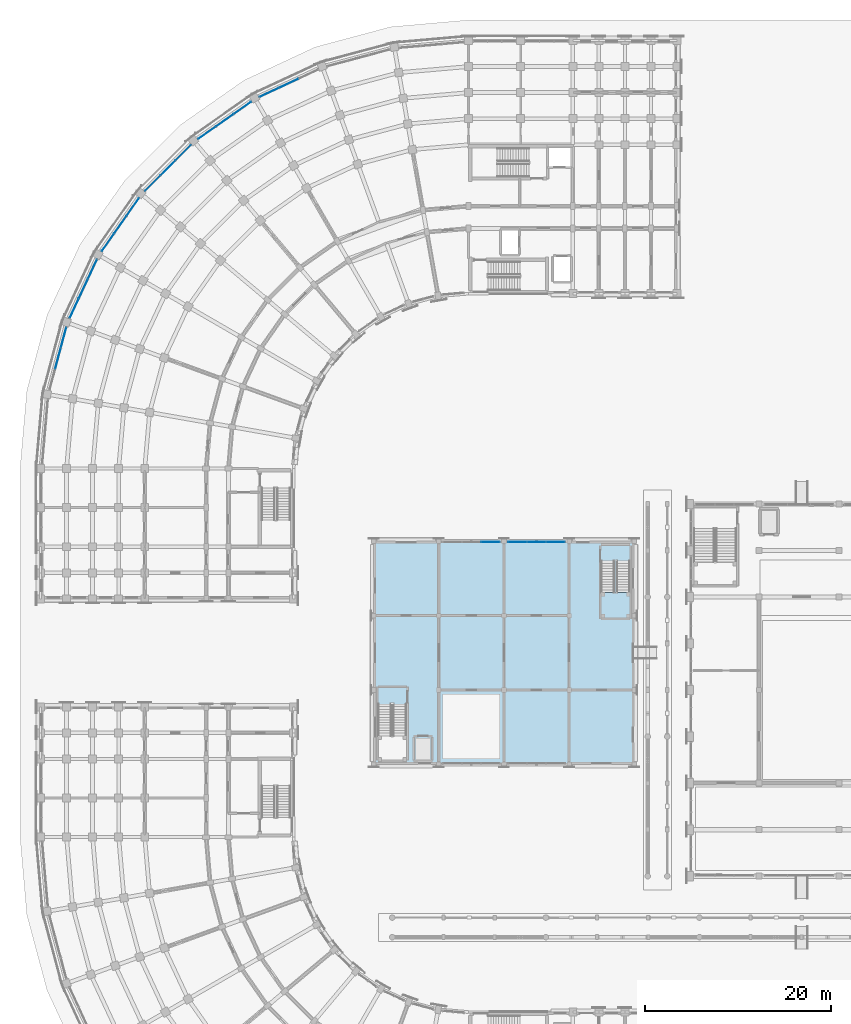
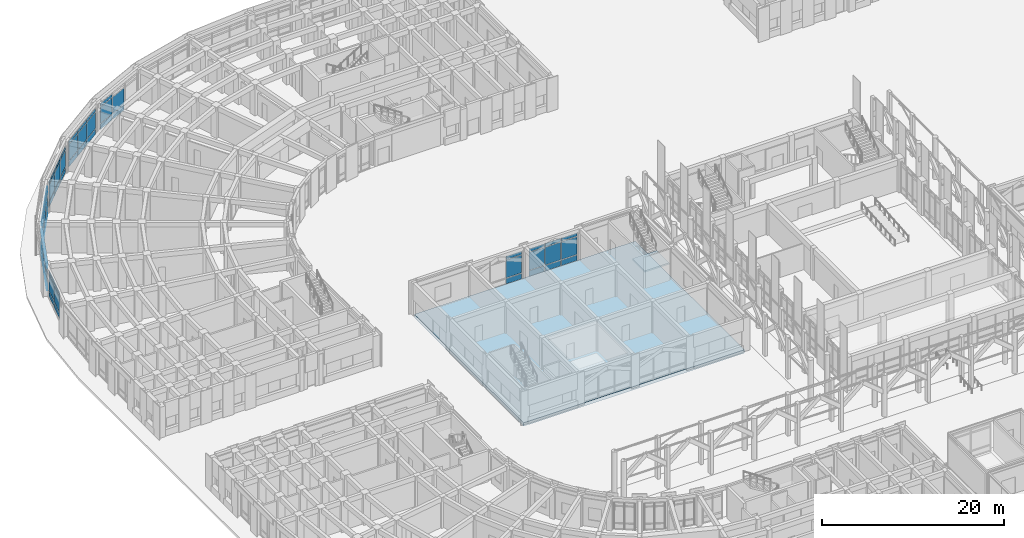
# One storey, part 64 of 135: 59 plates, 2 slabs, 9 elements without a shape of their own.
"""IFC4 building model written with IfcOpenShell, lengths in metres."""

from ifc_helpers import new_model, si_unit, direction, frame, origin, origin_2d, place, context, subcontext, project, spatial, polyline, rectangle, outline, extrude, material, layer, layer_set, type_object, element, aggregate, save


model = new_model("IFC4")

# Units and contexts
model_context = context("Model", 3, precision=1e-05, world=origin(), true_north=direction((0.0, 1.0)))
body_context = subcontext(model_context, "Body", "Model", "MODEL_VIEW")
ifc_project = project(units=[si_unit("LENGTHUNIT", "METRE"), si_unit("AREAUNIT", "SQUARE_METRE"), si_unit("VOLUMEUNIT", "CUBIC_METRE"), si_unit("PLANEANGLEUNIT", "RADIAN"), si_unit("MASSUNIT", "GRAM", prefix="KILO")], contexts=[model_context])

# Site, building, storey
site_placement = place(None, origin())
site = spatial("IfcSite", under=ifc_project, at=site_placement, CompositionType="ELEMENT")
building_placement = place(site_placement, origin())
building = spatial("IfcBuilding", under=site, at=building_placement, Name="Kiranvali Square Residences", CompositionType="ELEMENT")
storey_placement = place(building_placement, origin())
storey = spatial("IfcBuildingStorey", under=building, at=storey_placement, Name="L00", CompositionType="ELEMENT", Elevation=0.0)

# Curtain wall, plates
ifc_material_1 = material(Name="Anodised bronze aluminium framing", Category="aluminium")
curtain_wall_type_1 = type_object("IfcCurtainWallType", Name="CW-RET-SHOP", PredefinedType="USERDEFINED", material=ifc_material_1)
curtain_wall_1_placement = place(storey_placement, origin())
curtain_wall_1 = element("IfcCurtainWall", 1, at=curtain_wall_1_placement, inside=storey, type_object=curtain_wall_type_1, Name="Block A L00 rounded-corner arcade curtain wall 3", ObjectType="CURTAIN WALL", PredefinedType="USERDEFINED")
ifc_material_2 = material(Name="Solar-control low-e double glazing", Category="glass")
ifc_layer_1 = layer(ifc_material_2, 0.028076171875)
ifc_layer_set_1 = layer_set([ifc_layer_1], Name="Solar-control low-e double glazing")
plate_type_1 = type_object("IfcPlateType", Name="PLT-CW-GLZ", PredefinedType="CURTAIN_PANEL", material=ifc_layer_set_1)
plate_1_placement = place(storey_placement, frame((28.89697265625, 129.195556640625, 0.89013671875), z_axis=(0.0, 0.0, 1.0), x_axis=(-0.906307787037, -0.422618261741, 0.0)))
plate_1 = element("IfcPlate", 2, at=plate_1_placement, type_object=plate_type_1, Name="CW-A-L00-CRV-02 glazed panel 2.2", PredefinedType="CURTAIN_PANEL", context=body_context, shape_type="SweptSolid", body=[
    extrude(rectangle(XDim=2.239501953125, YDim=0.028076171875, at=origin_2d()), origin(), (0.0, 0.0, 1.0), 2.169921875),
])
plate_2_placement = place(storey_placement, frame((26.794921875, 128.21533203125, 0.89013671875), z_axis=(0.0, 0.0, 1.0), x_axis=(-0.906307787037, -0.422618261741, 0.0)))
plate_2 = element("IfcPlate", 3, at=plate_2_placement, type_object=plate_type_1, Name="CW-A-L00-CRV-02 glazed panel 3.2", PredefinedType="CURTAIN_PANEL", context=body_context, shape_type="SweptSolid", body=[
    extrude(rectangle(XDim=2.239501953125, YDim=0.028076171875, at=origin_2d()), origin(), (0.0, 0.0, 1.0), 2.169921875),
])
plate_3_placement = place(storey_placement, frame((26.794921875, 128.21533203125, 3.14013671875), z_axis=(0.0, 0.0, 1.0), x_axis=(-0.906307787037, -0.422618261741, 0.0)))
plate_3 = element("IfcPlate", 4, at=plate_3_placement, type_object=plate_type_1, Name="CW-A-L00-CRV-02 glazed panel 3.3", PredefinedType="CURTAIN_PANEL", context=body_context, shape_type="SweptSolid", body=[
    extrude(rectangle(XDim=2.239501953125, YDim=0.028076171875, at=origin_2d()), origin(), (0.0, 0.0, 1.0), 0.429931640625),
])

curtain_wall_2_placement = place(storey_placement, origin())
curtain_wall_2 = element("IfcCurtainWall", 5, at=curtain_wall_2_placement, inside=storey, type_object=curtain_wall_type_1, Name="Block A L00 rounded-corner arcade curtain wall 4", ObjectType="CURTAIN WALL", PredefinedType="USERDEFINED")
plate_4_placement = place(storey_placement, frame((23.90185546875, 126.545166015625, 0.89013671875), z_axis=(0.0, 0.0, 1.0), x_axis=(-0.819152044289, -0.573576436351, 0.0)))
plate_4 = element("IfcPlate", 6, at=plate_4_placement, type_object=plate_type_1, Name="CW-A-L00-CRV-03 glazed panel 1.2", PredefinedType="CURTAIN_PANEL", context=body_context, shape_type="SweptSolid", body=[
    extrude(rectangle(XDim=2.239501953125, YDim=0.028076171875, at=origin_2d()), origin(), (0.0, 0.0, 1.0), 2.169921875),
])
plate_5_placement = place(storey_placement, frame((23.90185546875, 126.545166015625, 3.14013671875), z_axis=(0.0, 0.0, 1.0), x_axis=(-0.819152044289, -0.573576436351, 0.0)))
plate_5 = element("IfcPlate", 7, at=plate_5_placement, type_object=plate_type_1, Name="CW-A-L00-CRV-03 glazed panel 1.3", PredefinedType="CURTAIN_PANEL", context=body_context, shape_type="SweptSolid", body=[
    extrude(rectangle(XDim=2.239501953125, YDim=0.028076171875, at=origin_2d()), origin(), (0.0, 0.0, 1.0), 0.429931640625),
])
plate_6_placement = place(storey_placement, frame((22.001953125, 125.21484375, 0.89013671875), z_axis=(0.0, 0.0, 1.0), x_axis=(-0.819152044289, -0.573576436351, 0.0)))
plate_6 = element("IfcPlate", 8, at=plate_6_placement, type_object=plate_type_1, Name="CW-A-L00-CRV-03 glazed panel 2.2", PredefinedType="CURTAIN_PANEL", context=body_context, shape_type="SweptSolid", body=[
    extrude(rectangle(XDim=2.239501953125, YDim=0.028076171875, at=origin_2d()), origin(), (0.0, 0.0, 1.0), 2.169921875),
])
plate_7_placement = place(storey_placement, frame((22.001953125, 125.21484375, 3.14013671875), z_axis=(0.0, 0.0, 1.0), x_axis=(-0.819152044289, -0.573576436351, 0.0)))
plate_7 = element("IfcPlate", 9, at=plate_7_placement, type_object=plate_type_1, Name="CW-A-L00-CRV-03 glazed panel 2.3", PredefinedType="CURTAIN_PANEL", context=body_context, shape_type="SweptSolid", body=[
    extrude(rectangle(XDim=2.239501953125, YDim=0.028076171875, at=origin_2d()), origin(), (0.0, 0.0, 1.0), 0.429931640625),
])
plate_8_placement = place(storey_placement, frame((20.10205078125, 123.88427734375, 0.89013671875), z_axis=(0.0, 0.0, 1.0), x_axis=(-0.819152044289, -0.573576436351, 0.0)))
plate_8 = element("IfcPlate", 10, at=plate_8_placement, type_object=plate_type_1, Name="CW-A-L00-CRV-03 glazed panel 3.2", PredefinedType="CURTAIN_PANEL", context=body_context, shape_type="SweptSolid", body=[
    extrude(rectangle(XDim=2.239501953125, YDim=0.028076171875, at=origin_2d()), origin(), (0.0, 0.0, 1.0), 2.169921875),
])
plate_9_placement = place(storey_placement, frame((20.10205078125, 123.88427734375, 3.14013671875), z_axis=(0.0, 0.0, 1.0), x_axis=(-0.819152044289, -0.573576436351, 0.0)))
plate_9 = element("IfcPlate", 11, at=plate_9_placement, type_object=plate_type_1, Name="CW-A-L00-CRV-03 glazed panel 3.3", PredefinedType="CURTAIN_PANEL", context=body_context, shape_type="SweptSolid", body=[
    extrude(rectangle(XDim=2.239501953125, YDim=0.028076171875, at=origin_2d()), origin(), (0.0, 0.0, 1.0), 0.429931640625),
])

curtain_wall_3_placement = place(storey_placement, origin())
curtain_wall_3 = element("IfcCurtainWall", 12, at=curtain_wall_3_placement, inside=storey, type_object=curtain_wall_type_1, Name="Block A L00 rounded-corner arcade curtain wall 5", ObjectType="CURTAIN WALL", PredefinedType="USERDEFINED")
plate_10_placement = place(storey_placement, frame((17.54296875, 121.737060546875, 0.89013671875), z_axis=(0.0, 0.0, 1.0), x_axis=(-0.707106781187, -0.707106781187, 0.0)))
plate_10 = element("IfcPlate", 13, at=plate_10_placement, type_object=plate_type_1, Name="CW-A-L00-CRV-04 glazed panel 1.2", PredefinedType="CURTAIN_PANEL", context=body_context, shape_type="SweptSolid", body=[
    extrude(rectangle(XDim=2.239501953125, YDim=0.028076171875, at=origin_2d()), origin(), (0.0, 0.0, 1.0), 2.169921875),
])
plate_11_placement = place(storey_placement, frame((17.54296875, 121.737060546875, 3.14013671875), z_axis=(0.0, 0.0, 1.0), x_axis=(-0.707106781187, -0.707106781187, 0.0)))
plate_11 = element("IfcPlate", 14, at=plate_11_placement, type_object=plate_type_1, Name="CW-A-L00-CRV-04 glazed panel 1.3", PredefinedType="CURTAIN_PANEL", context=body_context, shape_type="SweptSolid", body=[
    extrude(rectangle(XDim=2.239501953125, YDim=0.028076171875, at=origin_2d()), origin(), (0.0, 0.0, 1.0), 0.429931640625),
])
plate_12_placement = place(storey_placement, frame((15.90283203125, 120.09716796875, 0.89013671875), z_axis=(0.0, 0.0, 1.0), x_axis=(-0.707106781187, -0.707106781187, 0.0)))
plate_12 = element("IfcPlate", 15, at=plate_12_placement, type_object=plate_type_1, Name="CW-A-L00-CRV-04 glazed panel 2.2", PredefinedType="CURTAIN_PANEL", context=body_context, shape_type="SweptSolid", body=[
    extrude(rectangle(XDim=2.239501953125, YDim=0.028076171875, at=origin_2d()), origin(), (0.0, 0.0, 1.0), 2.169921875),
])
plate_13_placement = place(storey_placement, frame((15.90283203125, 120.09716796875, 3.14013671875), z_axis=(0.0, 0.0, 1.0), x_axis=(-0.707106781187, -0.707106781187, 0.0)))
plate_13 = element("IfcPlate", 16, at=plate_13_placement, type_object=plate_type_1, Name="CW-A-L00-CRV-04 glazed panel 2.3", PredefinedType="CURTAIN_PANEL", context=body_context, shape_type="SweptSolid", body=[
    extrude(rectangle(XDim=2.239501953125, YDim=0.028076171875, at=origin_2d()), origin(), (0.0, 0.0, 1.0), 0.429931640625),
])
plate_14_placement = place(storey_placement, frame((14.262939453125, 118.45703125, 0.89013671875), z_axis=(0.0, 0.0, 1.0), x_axis=(-0.707106781187, -0.707106781187, 0.0)))
plate_14 = element("IfcPlate", 17, at=plate_14_placement, type_object=plate_type_1, Name="CW-A-L00-CRV-04 glazed panel 3.2", PredefinedType="CURTAIN_PANEL", context=body_context, shape_type="SweptSolid", body=[
    extrude(rectangle(XDim=2.239501953125, YDim=0.028076171875, at=origin_2d()), origin(), (0.0, 0.0, 1.0), 2.169921875),
])
plate_15_placement = place(storey_placement, frame((14.262939453125, 118.45703125, 3.14013671875), z_axis=(0.0, 0.0, 1.0), x_axis=(-0.707106781187, -0.707106781187, 0.0)))
plate_15 = element("IfcPlate", 18, at=plate_15_placement, type_object=plate_type_1, Name="CW-A-L00-CRV-04 glazed panel 3.3", PredefinedType="CURTAIN_PANEL", context=body_context, shape_type="SweptSolid", body=[
    extrude(rectangle(XDim=2.239501953125, YDim=0.028076171875, at=origin_2d()), origin(), (0.0, 0.0, 1.0), 0.429931640625),
])

curtain_wall_4_placement = place(storey_placement, origin())
curtain_wall_4 = element("IfcCurtainWall", 19, at=curtain_wall_4_placement, inside=storey, type_object=curtain_wall_type_1, Name="Block A L00 rounded-corner arcade curtain wall 6", ObjectType="CURTAIN WALL", PredefinedType="USERDEFINED")
plate_16_placement = place(storey_placement, frame((12.11572265625, 115.89794921875, 0.89013671875), z_axis=(0.0, 0.0, 1.0), x_axis=(-0.573576436351, -0.819152044289, 0.0)))
plate_16 = element("IfcPlate", 20, at=plate_16_placement, type_object=plate_type_1, Name="CW-A-L00-CRV-05 glazed panel 1.2", PredefinedType="CURTAIN_PANEL", context=body_context, shape_type="SweptSolid", body=[
    extrude(rectangle(XDim=2.239501953125, YDim=0.028076171875, at=origin_2d()), origin(), (0.0, 0.0, 1.0), 2.169921875),
])
plate_17_placement = place(storey_placement, frame((12.11572265625, 115.89794921875, 3.14013671875), z_axis=(0.0, 0.0, 1.0), x_axis=(-0.573576436351, -0.819152044289, 0.0)))
plate_17 = element("IfcPlate", 21, at=plate_17_placement, type_object=plate_type_1, Name="CW-A-L00-CRV-05 glazed panel 1.3", PredefinedType="CURTAIN_PANEL", context=body_context, shape_type="SweptSolid", body=[
    extrude(rectangle(XDim=2.239501953125, YDim=0.028076171875, at=origin_2d()), origin(), (0.0, 0.0, 1.0), 0.429931640625),
])
plate_18_placement = place(storey_placement, frame((10.78515625, 113.998046875, 0.89013671875), z_axis=(0.0, 0.0, 1.0), x_axis=(-0.573576436351, -0.819152044289, 0.0)))
plate_18 = element("IfcPlate", 22, at=plate_18_placement, type_object=plate_type_1, Name="CW-A-L00-CRV-05 glazed panel 2.2", PredefinedType="CURTAIN_PANEL", context=body_context, shape_type="SweptSolid", body=[
    extrude(rectangle(XDim=2.239501953125, YDim=0.028076171875, at=origin_2d()), origin(), (0.0, 0.0, 1.0), 2.169921875),
])
plate_19_placement = place(storey_placement, frame((10.78515625, 113.998046875, 3.14013671875), z_axis=(0.0, 0.0, 1.0), x_axis=(-0.573576436351, -0.819152044289, 0.0)))
plate_19 = element("IfcPlate", 23, at=plate_19_placement, type_object=plate_type_1, Name="CW-A-L00-CRV-05 glazed panel 2.3", PredefinedType="CURTAIN_PANEL", context=body_context, shape_type="SweptSolid", body=[
    extrude(rectangle(XDim=2.239501953125, YDim=0.028076171875, at=origin_2d()), origin(), (0.0, 0.0, 1.0), 0.429931640625),
])
plate_20_placement = place(storey_placement, frame((9.454833984375, 112.09814453125, 0.89013671875), z_axis=(0.0, 0.0, 1.0), x_axis=(-0.573576436351, -0.819152044289, 0.0)))
plate_20 = element("IfcPlate", 24, at=plate_20_placement, type_object=plate_type_1, Name="CW-A-L00-CRV-05 glazed panel 3.2", PredefinedType="CURTAIN_PANEL", context=body_context, shape_type="SweptSolid", body=[
    extrude(rectangle(XDim=2.239501953125, YDim=0.028076171875, at=origin_2d()), origin(), (0.0, 0.0, 1.0), 2.169921875),
])
plate_21_placement = place(storey_placement, frame((9.454833984375, 112.09814453125, 3.14013671875), z_axis=(0.0, 0.0, 1.0), x_axis=(-0.573576436351, -0.819152044289, 0.0)))
plate_21 = element("IfcPlate", 25, at=plate_21_placement, type_object=plate_type_1, Name="CW-A-L00-CRV-05 glazed panel 3.3", PredefinedType="CURTAIN_PANEL", context=body_context, shape_type="SweptSolid", body=[
    extrude(rectangle(XDim=2.239501953125, YDim=0.028076171875, at=origin_2d()), origin(), (0.0, 0.0, 1.0), 0.429931640625),
])

curtain_wall_5_placement = place(storey_placement, origin())
curtain_wall_5 = element("IfcCurtainWall", 26, at=curtain_wall_5_placement, inside=storey, type_object=curtain_wall_type_1, Name="Block A L00 rounded-corner arcade curtain wall 7", ObjectType="CURTAIN WALL", PredefinedType="USERDEFINED")
plate_22_placement = place(storey_placement, frame((7.78466796875, 109.205078125, 0.89013671875), z_axis=(0.0, 0.0, 1.0), x_axis=(-0.422618261741, -0.906307787037, 0.0)))
plate_22 = element("IfcPlate", 27, at=plate_22_placement, type_object=plate_type_1, Name="CW-A-L00-CRV-06 glazed panel 1.2", PredefinedType="CURTAIN_PANEL", context=body_context, shape_type="SweptSolid", body=[
    extrude(rectangle(XDim=2.239501953125, YDim=0.028076171875, at=origin_2d()), origin(), (0.0, 0.0, 1.0), 2.169921875),
])
plate_23_placement = place(storey_placement, frame((7.78466796875, 109.205078125, 3.14013671875), z_axis=(0.0, 0.0, 1.0), x_axis=(-0.422618261741, -0.906307787037, 0.0)))
plate_23 = element("IfcPlate", 28, at=plate_23_placement, type_object=plate_type_1, Name="CW-A-L00-CRV-06 glazed panel 1.3", PredefinedType="CURTAIN_PANEL", context=body_context, shape_type="SweptSolid", body=[
    extrude(rectangle(XDim=2.239501953125, YDim=0.028076171875, at=origin_2d()), origin(), (0.0, 0.0, 1.0), 0.429931640625),
])
plate_24_placement = place(storey_placement, frame((6.804443359375, 107.10302734375, 0.89013671875), z_axis=(0.0, 0.0, 1.0), x_axis=(-0.422618261741, -0.906307787037, 0.0)))
plate_24 = element("IfcPlate", 29, at=plate_24_placement, type_object=plate_type_1, Name="CW-A-L00-CRV-06 glazed panel 2.2", PredefinedType="CURTAIN_PANEL", context=body_context, shape_type="SweptSolid", body=[
    extrude(rectangle(XDim=2.239501953125, YDim=0.028076171875, at=origin_2d()), origin(), (0.0, 0.0, 1.0), 2.169921875),
])
plate_25_placement = place(storey_placement, frame((6.804443359375, 107.10302734375, 3.14013671875), z_axis=(0.0, 0.0, 1.0), x_axis=(-0.422618261741, -0.906307787037, 0.0)))
plate_25 = element("IfcPlate", 30, at=plate_25_placement, type_object=plate_type_1, Name="CW-A-L00-CRV-06 glazed panel 2.3", PredefinedType="CURTAIN_PANEL", context=body_context, shape_type="SweptSolid", body=[
    extrude(rectangle(XDim=2.239501953125, YDim=0.028076171875, at=origin_2d()), origin(), (0.0, 0.0, 1.0), 0.429931640625),
])
plate_26_placement = place(storey_placement, frame((5.82421875, 105.0009765625, 0.89013671875), z_axis=(0.0, 0.0, 1.0), x_axis=(-0.422618261741, -0.906307787037, 0.0)))
plate_26 = element("IfcPlate", 31, at=plate_26_placement, type_object=plate_type_1, Name="CW-A-L00-CRV-06 glazed panel 3.2", PredefinedType="CURTAIN_PANEL", context=body_context, shape_type="SweptSolid", body=[
    extrude(rectangle(XDim=2.239501953125, YDim=0.028076171875, at=origin_2d()), origin(), (0.0, 0.0, 1.0), 2.169921875),
])
plate_27_placement = place(storey_placement, frame((5.82421875, 105.0009765625, 3.14013671875), z_axis=(0.0, 0.0, 1.0), x_axis=(-0.422618261741, -0.906307787037, 0.0)))
plate_27 = element("IfcPlate", 32, at=plate_27_placement, type_object=plate_type_1, Name="CW-A-L00-CRV-06 glazed panel 3.3", PredefinedType="CURTAIN_PANEL", context=body_context, shape_type="SweptSolid", body=[
    extrude(rectangle(XDim=2.239501953125, YDim=0.028076171875, at=origin_2d()), origin(), (0.0, 0.0, 1.0), 0.429931640625),
])

curtain_wall_6_placement = place(storey_placement, origin())
curtain_wall_6 = element("IfcCurtainWall", 33, at=curtain_wall_6_placement, inside=storey, type_object=curtain_wall_type_1, Name="Block A L00 rounded-corner arcade curtain wall 8", ObjectType="CURTAIN WALL", PredefinedType="USERDEFINED")
plate_28_placement = place(storey_placement, frame((4.681640625, 101.862060546875, 0.89013671875), z_axis=(0.0, 0.0, 1.0), x_axis=(-0.258819045103, -0.965925826289, 0.0)))
plate_28 = element("IfcPlate", 34, at=plate_28_placement, type_object=plate_type_1, Name="CW-A-L00-CRV-07 glazed panel 1.2", PredefinedType="CURTAIN_PANEL", context=body_context, shape_type="SweptSolid", body=[
    extrude(rectangle(XDim=2.239501953125, YDim=0.028076171875, at=origin_2d()), origin(), (0.0, 0.0, 1.0), 2.169921875),
])
plate_29_placement = place(storey_placement, frame((4.681640625, 101.862060546875, 3.14013671875), z_axis=(0.0, 0.0, 1.0), x_axis=(-0.258819045103, -0.965925826289, 0.0)))
plate_29 = element("IfcPlate", 35, at=plate_29_placement, type_object=plate_type_1, Name="CW-A-L00-CRV-07 glazed panel 1.3", PredefinedType="CURTAIN_PANEL", context=body_context, shape_type="SweptSolid", body=[
    extrude(rectangle(XDim=2.239501953125, YDim=0.028076171875, at=origin_2d()), origin(), (0.0, 0.0, 1.0), 0.429931640625),
])
plate_30_placement = place(storey_placement, frame((4.081298828125, 99.62158203125, 0.89013671875), z_axis=(0.0, 0.0, 1.0), x_axis=(-0.258819045103, -0.965925826289, 0.0)))
plate_30 = element("IfcPlate", 36, at=plate_30_placement, type_object=plate_type_1, Name="CW-A-L00-CRV-07 glazed panel 2.2", PredefinedType="CURTAIN_PANEL", context=body_context, shape_type="SweptSolid", body=[
    extrude(rectangle(XDim=2.239501953125, YDim=0.028076171875, at=origin_2d()), origin(), (0.0, 0.0, 1.0), 2.169921875),
])
plate_31_placement = place(storey_placement, frame((4.081298828125, 99.62158203125, 3.14013671875), z_axis=(0.0, 0.0, 1.0), x_axis=(-0.258819045103, -0.965925826289, 0.0)))
plate_31 = element("IfcPlate", 37, at=plate_31_placement, type_object=plate_type_1, Name="CW-A-L00-CRV-07 glazed panel 2.3", PredefinedType="CURTAIN_PANEL", context=body_context, shape_type="SweptSolid", body=[
    extrude(rectangle(XDim=2.239501953125, YDim=0.028076171875, at=origin_2d()), origin(), (0.0, 0.0, 1.0), 0.429931640625),
])

curtain_wall_type_2 = type_object("IfcCurtainWallType", Name="CW-PAV-GLZ", PredefinedType="USERDEFINED", material=ifc_material_1)
curtain_wall_7_placement = place(storey_placement, origin())
curtain_wall_7 = element("IfcCurtainWall", 38, at=curtain_wall_7_placement, inside=storey, type_object=curtain_wall_type_2, Name="Nursery Pavilion north arcade curtain wall 2", ObjectType="CURTAIN WALL", PredefinedType="USERDEFINED")
plate_32_placement = place(storey_placement, frame((50.546630859375, 79.89990234375, 0.889892578125), z_axis=(0.0, 0.0, 1.0), x_axis=(1.0, 0.0, 0.0)))
plate_32 = element("IfcPlate", 39, at=plate_32_placement, type_object=plate_type_1, Name="CW-NR-N0-1 glazed panel 3.2", PredefinedType="CURTAIN_PANEL", context=body_context, shape_type="SweptSolid", body=[
    extrude(rectangle(XDim=1.966796875, YDim=0.028076171875, at=origin_2d()), origin(), (0.0, 0.0, 1.0), 2.3701171875),
])
plate_33_placement = place(storey_placement, frame((50.546630859375, 79.89990234375, 3.33984375), z_axis=(0.0, 0.0, 1.0), x_axis=(1.0, 0.0, 0.0)))
plate_33 = element("IfcPlate", 40, at=plate_33_placement, type_object=plate_type_1, Name="CW-NR-N0-1 glazed panel 3.3", PredefinedType="CURTAIN_PANEL", context=body_context, shape_type="SweptSolid", body=[
    extrude(rectangle(XDim=1.966796875, YDim=0.028076171875, at=origin_2d()), origin(), (0.0, 0.0, 1.0), 0.429931640625),
])

curtain_wall_8_placement = place(storey_placement, origin())
curtain_wall_8 = element("IfcCurtainWall", 41, at=curtain_wall_8_placement, inside=storey, type_object=curtain_wall_type_2, Name="Nursery Pavilion north arcade curtain wall 3", ObjectType="CURTAIN WALL", PredefinedType="USERDEFINED")
plate_34_placement = place(storey_placement, frame((53.453369140625, 79.89990234375, 0.889892578125), z_axis=(0.0, 0.0, 1.0), x_axis=(1.0, 0.0, 0.0)))
plate_34 = element("IfcPlate", 42, at=plate_34_placement, type_object=plate_type_1, Name="CW-NR-N0-2 glazed panel 1.2", PredefinedType="CURTAIN_PANEL", context=body_context, shape_type="SweptSolid", body=[
    extrude(rectangle(XDim=1.966796875, YDim=0.028076171875, at=origin_2d()), origin(), (0.0, 0.0, 1.0), 2.3701171875),
])
plate_35_placement = place(storey_placement, frame((53.453369140625, 79.89990234375, 3.33984375), z_axis=(0.0, 0.0, 1.0), x_axis=(1.0, 0.0, 0.0)))
plate_35 = element("IfcPlate", 43, at=plate_35_placement, type_object=plate_type_1, Name="CW-NR-N0-2 glazed panel 1.3", PredefinedType="CURTAIN_PANEL", context=body_context, shape_type="SweptSolid", body=[
    extrude(rectangle(XDim=1.966796875, YDim=0.028076171875, at=origin_2d()), origin(), (0.0, 0.0, 1.0), 0.429931640625),
])
plate_36_placement = place(storey_placement, frame((55.5, 79.89990234375, 0.889892578125), z_axis=(0.0, 0.0, 1.0), x_axis=(1.0, 0.0, 0.0)))
plate_36 = element("IfcPlate", 44, at=plate_36_placement, type_object=plate_type_1, Name="CW-NR-N0-2 glazed panel 2.2", PredefinedType="CURTAIN_PANEL", context=body_context, shape_type="SweptSolid", body=[
    extrude(rectangle(XDim=1.966796875, YDim=0.028076171875, at=origin_2d()), origin(), (0.0, 0.0, 1.0), 2.3701171875),
])
plate_37_placement = place(storey_placement, frame((55.5, 79.89990234375, 3.33984375), z_axis=(0.0, 0.0, 1.0), x_axis=(1.0, 0.0, 0.0)))
plate_37 = element("IfcPlate", 45, at=plate_37_placement, type_object=plate_type_1, Name="CW-NR-N0-2 glazed panel 2.3", PredefinedType="CURTAIN_PANEL", context=body_context, shape_type="SweptSolid", body=[
    extrude(rectangle(XDim=1.966796875, YDim=0.028076171875, at=origin_2d()), origin(), (0.0, 0.0, 1.0), 0.429931640625),
])
plate_38_placement = place(storey_placement, frame((57.546630859375, 79.89990234375, 0.889892578125), z_axis=(0.0, 0.0, 1.0), x_axis=(1.0, 0.0, 0.0)))
plate_38 = element("IfcPlate", 46, at=plate_38_placement, type_object=plate_type_1, Name="CW-NR-N0-2 glazed panel 3.2", PredefinedType="CURTAIN_PANEL", context=body_context, shape_type="SweptSolid", body=[
    extrude(rectangle(XDim=1.966796875, YDim=0.028076171875, at=origin_2d()), origin(), (0.0, 0.0, 1.0), 2.3701171875),
])
plate_39_placement = place(storey_placement, frame((57.546630859375, 79.89990234375, 3.33984375), z_axis=(0.0, 0.0, 1.0), x_axis=(1.0, 0.0, 0.0)))
plate_39 = element("IfcPlate", 47, at=plate_39_placement, type_object=plate_type_1, Name="CW-NR-N0-2 glazed panel 3.3", PredefinedType="CURTAIN_PANEL", context=body_context, shape_type="SweptSolid", body=[
    extrude(rectangle(XDim=1.966796875, YDim=0.028076171875, at=origin_2d()), origin(), (0.0, 0.0, 1.0), 0.429931640625),
])

# Plate
ifc_material_3 = material(Name="Honed Porbandar limestone ashlar facade cladding", Category="masonry")
ifc_layer_2 = layer(ifc_material_3, 0.02392578125)
ifc_layer_set_2 = layer_set([ifc_layer_2], Name="Honed Porbandar limestone ashlar facade cladding")
plate_type_2 = type_object("IfcPlateType", Name="PLT-CW-SPN", PredefinedType="SHEET", material=ifc_layer_set_2)
plate_40_placement = place(storey_placement, frame((28.89697265625, 129.195556640625, 0.080078125), z_axis=(0.0, 0.0, 1.0), x_axis=(-0.906307787037, -0.422618261741, 0.0)))
plate_40 = element("IfcPlate", 48, at=plate_40_placement, type_object=plate_type_2, Name="CW-A-L00-CRV-02 spandrel panel 2.1", PredefinedType="SHEET", context=body_context, shape_type="SweptSolid", body=[
    extrude(rectangle(XDim=2.239501953125, YDim=0.02392578125, at=origin_2d()), origin(), (0.0, 0.0, 1.0), 0.72998046875),
])

plate_41_placement = place(storey_placement, frame((26.794921875, 128.21533203125, 0.080078125), z_axis=(0.0, 0.0, 1.0), x_axis=(-0.906307787037, -0.422618261741, 0.0)))
plate_41 = element("IfcPlate", 49, at=plate_41_placement, type_object=plate_type_2, Name="CW-A-L00-CRV-02 spandrel panel 3.1", PredefinedType="SHEET", context=body_context, shape_type="SweptSolid", body=[
    extrude(rectangle(XDim=2.239501953125, YDim=0.02392578125, at=origin_2d()), origin(), (0.0, 0.0, 1.0), 0.72998046875),
])

aggregate(curtain_wall_1, [plate_40, plate_1, plate_41, plate_2, plate_3])

plate_42_placement = place(storey_placement, frame((23.90185546875, 126.545166015625, 0.080078125), z_axis=(0.0, 0.0, 1.0), x_axis=(-0.819152044289, -0.573576436351, 0.0)))
plate_42 = element("IfcPlate", 50, at=plate_42_placement, type_object=plate_type_2, Name="CW-A-L00-CRV-03 spandrel panel 1.1", PredefinedType="SHEET", context=body_context, shape_type="SweptSolid", body=[
    extrude(rectangle(XDim=2.239501953125, YDim=0.02392578125, at=origin_2d()), origin(), (0.0, 0.0, 1.0), 0.72998046875),
])

plate_43_placement = place(storey_placement, frame((22.001953125, 125.21484375, 0.080078125), z_axis=(0.0, 0.0, 1.0), x_axis=(-0.819152044289, -0.573576436351, 0.0)))
plate_43 = element("IfcPlate", 51, at=plate_43_placement, type_object=plate_type_2, Name="CW-A-L00-CRV-03 spandrel panel 2.1", PredefinedType="SHEET", context=body_context, shape_type="SweptSolid", body=[
    extrude(rectangle(XDim=2.239501953125, YDim=0.02392578125, at=origin_2d()), origin(), (0.0, 0.0, 1.0), 0.72998046875),
])

plate_44_placement = place(storey_placement, frame((20.10205078125, 123.88427734375, 0.080078125), z_axis=(0.0, 0.0, 1.0), x_axis=(-0.819152044289, -0.573576436351, 0.0)))
plate_44 = element("IfcPlate", 52, at=plate_44_placement, type_object=plate_type_2, Name="CW-A-L00-CRV-03 spandrel panel 3.1", PredefinedType="SHEET", context=body_context, shape_type="SweptSolid", body=[
    extrude(rectangle(XDim=2.239501953125, YDim=0.02392578125, at=origin_2d()), origin(), (0.0, 0.0, 1.0), 0.72998046875),
])

aggregate(curtain_wall_2, [plate_42, plate_4, plate_5, plate_43, plate_6, plate_7, plate_44, plate_8, plate_9])

plate_45_placement = place(storey_placement, frame((17.54296875, 121.737060546875, 0.080078125), z_axis=(0.0, 0.0, 1.0), x_axis=(-0.707106781187, -0.707106781187, 0.0)))
plate_45 = element("IfcPlate", 53, at=plate_45_placement, type_object=plate_type_2, Name="CW-A-L00-CRV-04 spandrel panel 1.1", PredefinedType="SHEET", context=body_context, shape_type="SweptSolid", body=[
    extrude(rectangle(XDim=2.239501953125, YDim=0.02392578125, at=origin_2d()), origin(), (0.0, 0.0, 1.0), 0.72998046875),
])

plate_46_placement = place(storey_placement, frame((15.90283203125, 120.09716796875, 0.080078125), z_axis=(0.0, 0.0, 1.0), x_axis=(-0.707106781187, -0.707106781187, 0.0)))
plate_46 = element("IfcPlate", 54, at=plate_46_placement, type_object=plate_type_2, Name="CW-A-L00-CRV-04 spandrel panel 2.1", PredefinedType="SHEET", context=body_context, shape_type="SweptSolid", body=[
    extrude(rectangle(XDim=2.239501953125, YDim=0.02392578125, at=origin_2d()), origin(), (0.0, 0.0, 1.0), 0.72998046875),
])

plate_47_placement = place(storey_placement, frame((14.262939453125, 118.45703125, 0.080078125), z_axis=(0.0, 0.0, 1.0), x_axis=(-0.707106781187, -0.707106781187, 0.0)))
plate_47 = element("IfcPlate", 55, at=plate_47_placement, type_object=plate_type_2, Name="CW-A-L00-CRV-04 spandrel panel 3.1", PredefinedType="SHEET", context=body_context, shape_type="SweptSolid", body=[
    extrude(rectangle(XDim=2.239501953125, YDim=0.02392578125, at=origin_2d()), origin(), (0.0, 0.0, 1.0), 0.72998046875),
])

aggregate(curtain_wall_3, [plate_45, plate_10, plate_11, plate_46, plate_12, plate_13, plate_47, plate_14, plate_15])

plate_48_placement = place(storey_placement, frame((12.11572265625, 115.89794921875, 0.080078125), z_axis=(0.0, 0.0, 1.0), x_axis=(-0.573576436351, -0.819152044289, 0.0)))
plate_48 = element("IfcPlate", 56, at=plate_48_placement, type_object=plate_type_2, Name="CW-A-L00-CRV-05 spandrel panel 1.1", PredefinedType="SHEET", context=body_context, shape_type="SweptSolid", body=[
    extrude(rectangle(XDim=2.239501953125, YDim=0.02392578125, at=origin_2d()), origin(), (0.0, 0.0, 1.0), 0.72998046875),
])

plate_49_placement = place(storey_placement, frame((10.78515625, 113.998046875, 0.080078125), z_axis=(0.0, 0.0, 1.0), x_axis=(-0.573576436351, -0.819152044289, 0.0)))
plate_49 = element("IfcPlate", 57, at=plate_49_placement, type_object=plate_type_2, Name="CW-A-L00-CRV-05 spandrel panel 2.1", PredefinedType="SHEET", context=body_context, shape_type="SweptSolid", body=[
    extrude(rectangle(XDim=2.239501953125, YDim=0.02392578125, at=origin_2d()), origin(), (0.0, 0.0, 1.0), 0.72998046875),
])

plate_50_placement = place(storey_placement, frame((9.454833984375, 112.09814453125, 0.080078125), z_axis=(0.0, 0.0, 1.0), x_axis=(-0.573576436351, -0.819152044289, 0.0)))
plate_50 = element("IfcPlate", 58, at=plate_50_placement, type_object=plate_type_2, Name="CW-A-L00-CRV-05 spandrel panel 3.1", PredefinedType="SHEET", context=body_context, shape_type="SweptSolid", body=[
    extrude(rectangle(XDim=2.239501953125, YDim=0.02392578125, at=origin_2d()), origin(), (0.0, 0.0, 1.0), 0.72998046875),
])

aggregate(curtain_wall_4, [plate_48, plate_16, plate_17, plate_49, plate_18, plate_19, plate_50, plate_20, plate_21])

plate_51_placement = place(storey_placement, frame((7.78466796875, 109.205078125, 0.080078125), z_axis=(0.0, 0.0, 1.0), x_axis=(-0.422618261741, -0.906307787037, 0.0)))
plate_51 = element("IfcPlate", 59, at=plate_51_placement, type_object=plate_type_2, Name="CW-A-L00-CRV-06 spandrel panel 1.1", PredefinedType="SHEET", context=body_context, shape_type="SweptSolid", body=[
    extrude(rectangle(XDim=2.239501953125, YDim=0.02392578125, at=origin_2d()), origin(), (0.0, 0.0, 1.0), 0.72998046875),
])

plate_52_placement = place(storey_placement, frame((6.804443359375, 107.10302734375, 0.080078125), z_axis=(0.0, 0.0, 1.0), x_axis=(-0.422618261741, -0.906307787037, 0.0)))
plate_52 = element("IfcPlate", 60, at=plate_52_placement, type_object=plate_type_2, Name="CW-A-L00-CRV-06 spandrel panel 2.1", PredefinedType="SHEET", context=body_context, shape_type="SweptSolid", body=[
    extrude(rectangle(XDim=2.239501953125, YDim=0.02392578125, at=origin_2d()), origin(), (0.0, 0.0, 1.0), 0.72998046875),
])

plate_53_placement = place(storey_placement, frame((5.82421875, 105.0009765625, 0.080078125), z_axis=(0.0, 0.0, 1.0), x_axis=(-0.422618261741, -0.906307787037, 0.0)))
plate_53 = element("IfcPlate", 61, at=plate_53_placement, type_object=plate_type_2, Name="CW-A-L00-CRV-06 spandrel panel 3.1", PredefinedType="SHEET", context=body_context, shape_type="SweptSolid", body=[
    extrude(rectangle(XDim=2.239501953125, YDim=0.02392578125, at=origin_2d()), origin(), (0.0, 0.0, 1.0), 0.72998046875),
])

aggregate(curtain_wall_5, [plate_51, plate_22, plate_23, plate_52, plate_24, plate_25, plate_53, plate_26, plate_27])

plate_54_placement = place(storey_placement, frame((4.681640625, 101.862060546875, 0.080078125), z_axis=(0.0, 0.0, 1.0), x_axis=(-0.258819045103, -0.965925826289, 0.0)))
plate_54 = element("IfcPlate", 62, at=plate_54_placement, type_object=plate_type_2, Name="CW-A-L00-CRV-07 spandrel panel 1.1", PredefinedType="SHEET", context=body_context, shape_type="SweptSolid", body=[
    extrude(rectangle(XDim=2.239501953125, YDim=0.02392578125, at=origin_2d()), origin(), (0.0, 0.0, 1.0), 0.72998046875),
])

plate_55_placement = place(storey_placement, frame((4.081298828125, 99.62158203125, 0.080078125), z_axis=(0.0, 0.0, 1.0), x_axis=(-0.258819045103, -0.965925826289, 0.0)))
plate_55 = element("IfcPlate", 63, at=plate_55_placement, type_object=plate_type_2, Name="CW-A-L00-CRV-07 spandrel panel 2.1", PredefinedType="SHEET", context=body_context, shape_type="SweptSolid", body=[
    extrude(rectangle(XDim=2.239501953125, YDim=0.02392578125, at=origin_2d()), origin(), (0.0, 0.0, 1.0), 0.72998046875),
])

aggregate(curtain_wall_6, [plate_54, plate_28, plate_29, plate_55, plate_30, plate_31])

plate_56_placement = place(storey_placement, frame((50.546630859375, 79.89990234375, 0.080078125), z_axis=(0.0, 0.0, 1.0), x_axis=(1.0, 0.0, 0.0)))
plate_56 = element("IfcPlate", 64, at=plate_56_placement, type_object=plate_type_2, Name="CW-NR-N0-1 spandrel panel 3.1", PredefinedType="SHEET", context=body_context, shape_type="SweptSolid", body=[
    extrude(rectangle(XDim=1.966796875, YDim=0.02392578125, at=origin_2d()), origin(), (0.0, 0.0, 1.0), 0.72998046875),
])

aggregate(curtain_wall_7, [plate_56, plate_32, plate_33])

plate_57_placement = place(storey_placement, frame((53.453369140625, 79.89990234375, 0.080078125), z_axis=(0.0, 0.0, 1.0), x_axis=(1.0, 0.0, 0.0)))
plate_57 = element("IfcPlate", 65, at=plate_57_placement, type_object=plate_type_2, Name="CW-NR-N0-2 spandrel panel 1.1", PredefinedType="SHEET", context=body_context, shape_type="SweptSolid", body=[
    extrude(rectangle(XDim=1.966796875, YDim=0.02392578125, at=origin_2d()), origin(), (0.0, 0.0, 1.0), 0.72998046875),
])

plate_58_placement = place(storey_placement, frame((55.5, 79.89990234375, 0.080078125), z_axis=(0.0, 0.0, 1.0), x_axis=(1.0, 0.0, 0.0)))
plate_58 = element("IfcPlate", 66, at=plate_58_placement, type_object=plate_type_2, Name="CW-NR-N0-2 spandrel panel 2.1", PredefinedType="SHEET", context=body_context, shape_type="SweptSolid", body=[
    extrude(rectangle(XDim=1.966796875, YDim=0.02392578125, at=origin_2d()), origin(), (0.0, 0.0, 1.0), 0.72998046875),
])

plate_59_placement = place(storey_placement, frame((57.546630859375, 79.89990234375, 0.080078125), z_axis=(0.0, 0.0, 1.0), x_axis=(1.0, 0.0, 0.0)))
plate_59 = element("IfcPlate", 67, at=plate_59_placement, type_object=plate_type_2, Name="CW-NR-N0-2 spandrel panel 3.1", PredefinedType="SHEET", context=body_context, shape_type="SweptSolid", body=[
    extrude(rectangle(XDim=1.966796875, YDim=0.02392578125, at=origin_2d()), origin(), (0.0, 0.0, 1.0), 0.72998046875),
])

aggregate(curtain_wall_8, [plate_57, plate_34, plate_35, plate_58, plate_36, plate_37, plate_59, plate_38, plate_39])

# Slab
ifc_material_4 = material(Name="Concrete M40 (40 MPa)", Category="concrete")
ifc_layer_3 = layer(ifc_material_4, 0.449951171875)
ifc_layer_set_3 = layer_set([ifc_layer_3], Name="Concrete M40 (40 MPa)")
slab_type_1 = type_object("IfcSlabType", Name="SLB-BASE-450", PredefinedType="BASESLAB", material=ifc_layer_set_3)
slab_1_placement = place(storey_placement, frame((0.0, 0.0, -0.449951171875)))
element("IfcSlab", 68, at=slab_1_placement, inside=storey, type_object=slab_type_1, Name="Nursery Pavilion ground base slab", PredefinedType="BASESLAB", context=body_context, shape_type="SweptSolid", body=[
    extrude(outline(polyline([(38.0, 56.0), (66.0, 56.0), (66.0, 80.0), (38.0, 80.0), (38.0, 56.0)])), origin(), (0.0, 0.0, 1.0), 0.449951171875),
])

# Stair, slab
ifc_material_5 = material(Name="Concrete M35 (35 MPa)", Category="concrete")
stair_type = type_object("IfcStairType", Name="ST-CORE-1700", PredefinedType="HALF_TURN_STAIR", material=ifc_material_5)
stair_placement = place(storey_placement, origin())
stair = element("IfcStair", 69, at=stair_placement, inside=storey, type_object=stair_type, Name="L00 Nursery Pavilion Exit Stair 2", PredefinedType="HALF_TURN_STAIR")
ifc_layer_4 = layer(ifc_material_5, 0.199951171875)
ifc_layer_set_4 = layer_set([ifc_layer_4], Name="Concrete M35 (35 MPa)")
slab_type_2 = type_object("IfcSlabType", Name="SLB-LND-200", PredefinedType="LANDING", material=ifc_layer_set_4)
slab_2_placement = place(storey_placement, frame((0.0, 0.0, 2.050048828125)))
slab_2 = element("IfcSlab", 70, at=slab_2_placement, type_object=slab_type_2, Name="ST-NR2 landing 1", PredefinedType="LANDING", context=body_context, shape_type="SweptSolid", body=[
    extrude(outline(polyline([(62.449951171875, 74.47998046875), (62.449951171875, 71.75), (65.550048828125, 71.75), (65.550048828125, 74.47998046875), (62.449951171875, 74.47998046875)])), origin(), (0.0, 0.0, 1.0), 0.199951171875),
])
aggregate(stair, [slab_2])

save(model, "model.ifc")
